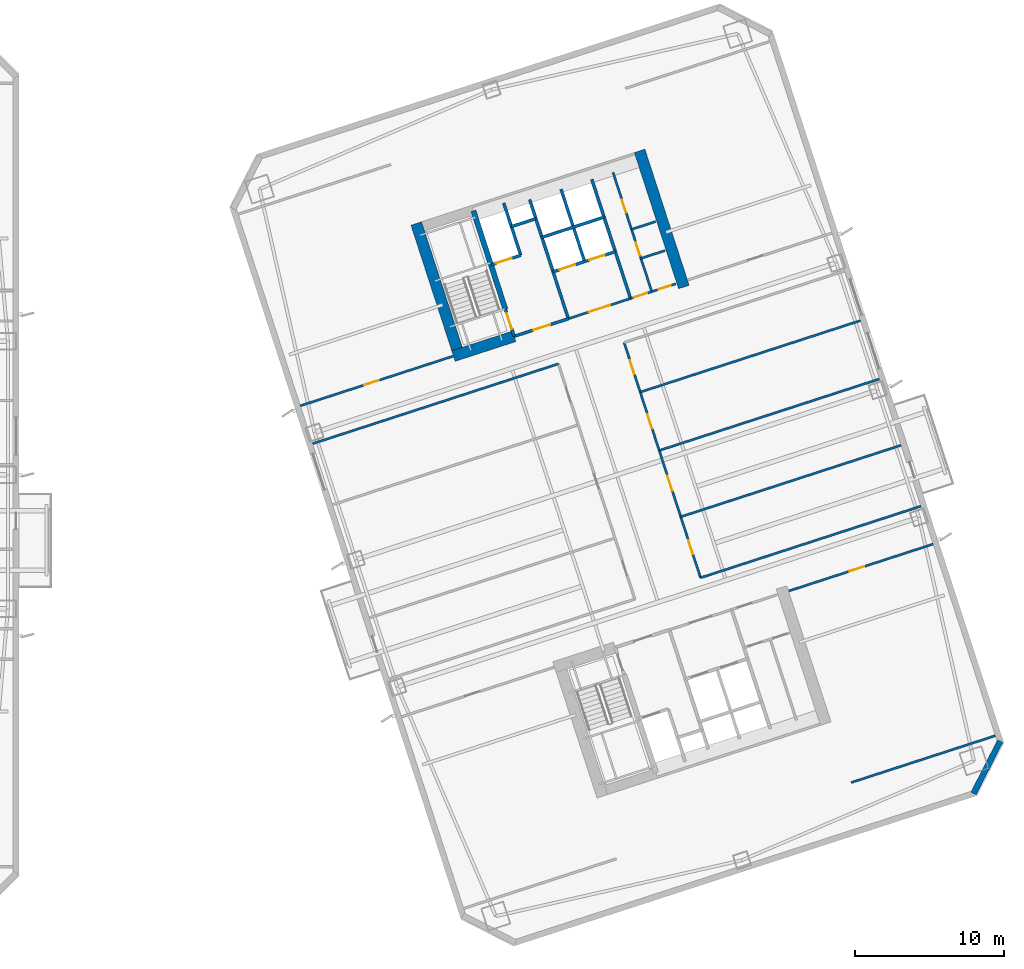
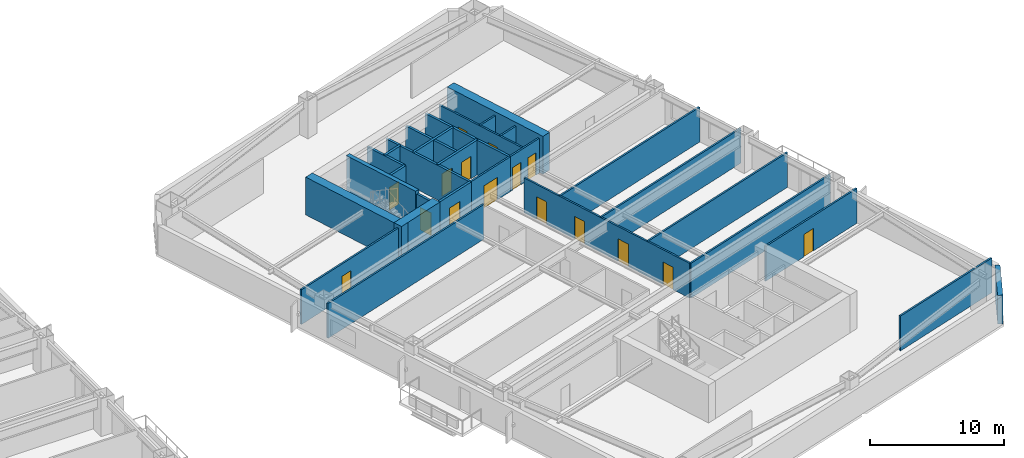
# One storey, part 8 of 18: 29 walls, 16 doors, 16 openings.
"""IFC4 building model written with IfcOpenShell, lengths in metres."""

from ifc_helpers import new_model, si_unit, direction, frame, frame_2d, origin, place, context, subcontext, project, spatial, rectangle, extrude, material, layer, layer_set, type_object, element, fill, save


model = new_model("IFC4")

# Units and contexts
model_context = context("Model", 3, precision=1e-05, world=origin(), true_north=direction((0.0, 1.0)))
body_context = subcontext(model_context, "Body", "Model", "MODEL_VIEW")
ifc_project = project(units=[si_unit("LENGTHUNIT", "METRE"), si_unit("AREAUNIT", "SQUARE_METRE"), si_unit("VOLUMEUNIT", "CUBIC_METRE"), si_unit("PLANEANGLEUNIT", "RADIAN"), si_unit("MASSUNIT", "GRAM", prefix="KILO")], contexts=[model_context])

# Site, building, storey
site_placement = place(None, origin())
site = spatial("IfcSite", under=ifc_project, at=site_placement, CompositionType="ELEMENT")
building_placement = place(site_placement, origin())
building = spatial("IfcBuilding", under=site, at=building_placement, Name="Qiaolan Cultural Towers", CompositionType="ELEMENT")
storey_placement = place(building_placement, frame((0.0, 0.0, 67.85009765625)))
storey = spatial("IfcBuildingStorey", under=building, at=storey_placement, Name="L16", CompositionType="ELEMENT", Elevation=67.85009765625)

# Walls
ifc_material_1 = material(Name="Concrete C50", Category="concrete")
ifc_layer_1 = layer(ifc_material_1, 0.35009765625)
ifc_layer_set_1 = layer_set([ifc_layer_1], Name="Concrete C50")
wall_type_1 = type_object("IfcWallType", Name="WL-CORE-350", PredefinedType="SHEAR", material=ifc_layer_set_1)
wall_1_placement = place(storey_placement, frame((82.513671875, 45.13134765625, 0.0), z_axis=(0.0, 0.0, 1.0), x_axis=(-0.308988790936, 0.951065679686, 0.0)))
element("IfcWall", 1, at=wall_1_placement, inside=storey, type_object=wall_type_1, Name="L16 T2-CN Stair Core Dividing Web", PredefinedType="SHEAR", context=body_context, shape_type="SweptSolid", body=[
    extrude(rectangle(XDim=6.97998046875, YDim=0.35009765625, at=frame_2d((3.489990234375, 0.0))), origin(), (0.0, 0.0, 1.0), 3.449951171875),
])
ifc_material_2 = material(Name="Concrete C60", Category="concrete")
ifc_layer_2 = layer(ifc_material_2, 0.75)
ifc_layer_set_2 = layer_set([ifc_layer_2], Name="Concrete C60")
wall_type_2 = type_object("IfcWallType", Name="WL-CORE-750", PredefinedType="SHEAR", material=ifc_layer_set_2)
for number, where, z_axis, x_axis, name in (
    (2, (79.48876953125, 41.75634765625, 0.0), (0.0, 0.0, 1.0), (-0.309016134813, 0.951056795583, 0.0), "L16 T2-CN West Core Shear Wall"),
    (3, (94.515380859375, 46.638916015625, 0.0), (0.0, 0.0, 1.0), (-0.309016134813, 0.951056795583, 0.0), "L16 T2-CN East Core Shear Wall"),
):
    element("IfcWall", number, at=place(storey_placement, frame(where, z_axis=z_axis, x_axis=x_axis)), inside=storey, type_object=wall_type_2, Name=name, PredefinedType="SHEAR", context=body_context, shape_type="SweptSolid", body=[
        extrude(rectangle(XDim=9.630126953125, YDim=0.75, at=frame_2d((4.81494140625, 0.0))), origin(), (0.0, 0.0, 1.0), 3.449951171875),
    ])
wall_2_placement = place(storey_placement, frame((79.01611328125, 41.997314453125, 0.0), z_axis=(0.0, 0.0, 1.0), x_axis=(0.95106038264, 0.309005094736, 0.0)))
element("IfcWall", 4, at=wall_2_placement, inside=storey, type_object=wall_type_2, Name="L16 T2-CN Stair Front Shear Wall", PredefinedType="SHEAR", context=body_context, shape_type="SweptSolid", body=[
    extrude(rectangle(XDim=4.294921875, YDim=0.75, at=frame_2d((2.1474609375, 0.0))), origin(), (0.0, 0.0, 1.0), 3.449951171875),
])
ifc_material_3 = material(Name="Precast Concrete C50 Honed Stone Pier", Category="masonry")
ifc_layer_3 = layer(ifc_material_3, 0.39990234375)
ifc_layer_set_3 = layer_set([ifc_layer_3], Name="Precast Concrete C50 Honed Stone Pier")
wall_type_3 = type_object("IfcWallType", Name="WL-EXT-PIER-400", PredefinedType="SOLIDWALL", material=ifc_layer_set_3)
wall_3_placement = place(storey_placement, frame((115.79541015625, 16.094970703125, 0.0), z_axis=(0.0, 0.0, 1.0), x_axis=(-0.453958106755, -0.891023028497, 0.0)))
element("IfcWall", 5, at=wall_3_placement, inside=storey, type_object=wall_type_3, Name="L16 East Tower Precast Pier Facade Wall F6", PredefinedType="SOLIDWALL", context=body_context, shape_type="SweptSolid", body=[
    extrude(rectangle(XDim=3.9599609375, YDim=0.39990234375, at=frame_2d((1.97998046875, 0.0))), origin(), (0.0, 0.0, 1.0), 2.60986328125),
])

# Wall, opening, door
ifc_material_4 = material(Name="Concrete C35 Fire Wall", Category="concrete")
ifc_layer_4 = layer(ifc_material_4, 0.199951171875)
ifc_layer_set_4 = layer_set([ifc_layer_4], Name="Concrete C35 Fire Wall")
wall_type_4 = type_object("IfcWallType", Name="WL-FIRE-200", PredefinedType="PARTITIONING", material=ifc_layer_set_4)
wall_4_placement = place(storey_placement, frame((83.100830078125, 43.324462890625, 0.0), z_axis=(0.0, 0.0, 1.0), x_axis=(-0.309048298632, 0.951046344356, 0.0)))
wall_4 = element("IfcWall", 6, at=wall_4_placement, inside=storey, type_object=wall_type_4, Name="L16 T2-CN Smokeproof Stair Entry Wall", PredefinedType="PARTITIONING", context=body_context, shape_type="SweptSolid", body=[
    extrude(rectangle(XDim=1.89990234375, YDim=0.199951171875, at=frame_2d((0.949951171875, 0.0))), origin(), (0.0, 0.0, 1.0), 3.1748046875),
])
opening_1_placement = place(wall_4_placement, frame((0.52001953125, 0.0, 0.0)))
opening_1 = element("IfcOpeningElement", 7, at=opening_1_placement, cuts=wall_4, Name="Opening FD-04", PredefinedType="OPENING", context=body_context, shape_type="SweptSolid", body=[
    extrude(rectangle(XDim=1.10009765625, YDim=2.050048828125, at=frame_2d((0.550048828125, 1.02490234375))), frame((0.0, 0.10986328125, 0.0), z_axis=(0.0, -1.0, 0.0), x_axis=(1.0, 0.0, 0.0)), (0.0, 0.0, 1.0), 0.219970703125),
])
ifc_material_5 = material(Name="Galvanized Steel Command Fire Door", Category="steel")
door_type_1 = type_object("IfcDoorType", Name="DR-FD90-1100", OperationType="NOTDEFINED", PredefinedType="DOOR", material=ifc_material_5)
door_1_placement = place(opening_1_placement, origin())
door_1 = element("IfcDoor", 8, at=door_1_placement, inside=storey, type_object=door_type_1, Name="L16 ST-E2 Smokeproof Stair Fire Door", OperationType="SINGLE_SWING_LEFT", OverallHeight=2.050048828125, OverallWidth=1.10009765625, PredefinedType="DOOR", context=body_context, shape_type="SweptSolid", body=[
    extrude(rectangle(XDim=1.10009765625, YDim=2.050048828125, at=frame_2d((0.550048828125, 1.02490234375))), frame((0.0, 0.02490234375, 0.0), z_axis=(0.0, -1.0, 0.0), x_axis=(1.0, 0.0, 0.0)), (0.0, 0.0, 1.0), 0.050048828125),
])
fill(opening_1, door_1)

# Wall
wall_5_placement = place(storey_placement, frame((86.743408203125, 44.508056640625, 0.0), z_axis=(0.0, 0.0, 1.0), x_axis=(-0.309016001439, 0.951056838919, 0.0)))
element("IfcWall", 9, at=wall_5_placement, inside=storey, type_object=wall_type_4, Name="L16 T2-CN Firefighting Zone Wall", PredefinedType="PARTITIONING", context=body_context, shape_type="SweptSolid", body=[
    extrude(rectangle(XDim=8.429931640625, YDim=0.199951171875, at=frame_2d((4.21484375, 0.0))), origin(), (0.0, 0.0, 1.0), 3.1748046875),
])

# Wall, opening, door
wall_6_placement = place(storey_placement, frame((83.100830078125, 43.324462890625, 0.0), z_axis=(0.0, 0.0, 1.0), x_axis=(0.951052804469, 0.309028417967, 0.0)))
wall_6 = element("IfcWall", 10, at=wall_6_placement, inside=storey, type_object=wall_type_4, Name="L16 T2-CN Firefighting Lobby Front Wall", PredefinedType="PARTITIONING", context=body_context, shape_type="SweptSolid", body=[
    extrude(rectangle(XDim=3.830078125, YDim=0.199951171875, at=frame_2d((1.9150390625, 0.0))), origin(), (0.0, 0.0, 1.0), 3.1748046875),
])
opening_2_placement = place(wall_6_placement, frame((1.35009765625, 0.0, 0.0)))
opening_2 = element("IfcOpeningElement", 11, at=opening_2_placement, cuts=wall_6, Name="Opening FD-03", PredefinedType="OPENING", context=body_context, shape_type="SweptSolid", body=[
    extrude(rectangle(XDim=1.199951171875, YDim=2.050048828125, at=frame_2d((0.60009765625, 1.02490234375))), frame((0.0, 0.10986328125, 0.0), z_axis=(0.0, -1.0, 0.0), x_axis=(1.0, 0.0, 0.0)), (0.0, 0.0, 1.0), 0.219970703125),
])
ifc_material_6 = material(Name="Galvanized Steel Smokeproof Lobby Fire Door", Category="steel")
door_type_2 = type_object("IfcDoorType", Name="DR-FD90-1200", OperationType="NOTDEFINED", PredefinedType="DOOR", material=ifc_material_6)
door_2_placement = place(opening_2_placement, origin())
door_2 = element("IfcDoor", 12, at=door_2_placement, inside=storey, type_object=door_type_2, Name="L16 FFL-E2 Firefighting Lobby Fire Door", OperationType="SINGLE_SWING_LEFT", OverallHeight=2.050048828125, OverallWidth=1.199951171875, PredefinedType="DOOR", context=body_context, shape_type="SweptSolid", body=[
    extrude(rectangle(XDim=1.199951171875, YDim=2.050048828125, at=frame_2d((0.60009765625, 1.02490234375))), frame((0.0, 0.02490234375, 0.0), z_axis=(0.0, -1.0, 0.0), x_axis=(1.0, 0.0, 0.0)), (0.0, 0.0, 1.0), 0.050048828125),
])
fill(opening_2, door_2)

wall_7_placement = place(storey_placement, frame((81.540283203125, 48.127197265625, 0.0), z_axis=(0.0, 0.0, 1.0), x_axis=(0.951062257173, 0.308999325213, 0.0)))
wall_7 = element("IfcWall", 13, at=wall_7_placement, inside=storey, type_object=wall_type_4, Name="L16 T2-CN Firefighting Shaft Front Wall", PredefinedType="PARTITIONING", context=body_context, shape_type="SweptSolid", body=[
    extrude(rectangle(XDim=2.10009765625, YDim=0.199951171875, at=frame_2d((1.050048828125, 0.0))), origin(), (0.0, 0.0, 1.0), 3.1748046875),
])
opening_3_placement = place(wall_7_placement, frame((0.35009765625, 0.0, 0.0)))
opening_3 = element("IfcOpeningElement", 14, at=opening_3_placement, cuts=wall_7, Name="Opening LD-01", PredefinedType="OPENING", context=body_context, shape_type="SweptSolid", body=[
    extrude(rectangle(XDim=1.10009765625, YDim=2.050048828125, at=frame_2d((0.550048828125, 1.02490234375))), frame((0.0, 0.10986328125, 0.0), z_axis=(0.0, -1.0, 0.0), x_axis=(1.0, 0.0, 0.0)), (0.0, 0.0, 1.0), 0.219970703125),
])
ifc_material_7 = material(Name="Brushed Stainless Steel S30408 Centre-Parting Lift Landing Door", Category="steel")
door_type_3 = type_object("IfcDoorType", Name="DR-LIFT-1100", OperationType="NOTDEFINED", PredefinedType="DOOR", material=ifc_material_7)
door_3_placement = place(opening_3_placement, origin())
door_3 = element("IfcDoor", 15, at=door_3_placement, inside=storey, type_object=door_type_3, Name="L16 FFL-E2 Firefighting Lift Landing Door", OperationType="DOUBLE_DOOR_SLIDING", OverallHeight=2.050048828125, OverallWidth=1.10009765625, PredefinedType="DOOR", context=body_context, shape_type="SweptSolid", body=[
    extrude(rectangle(XDim=1.10009765625, YDim=2.050048828125, at=frame_2d((0.550048828125, 1.02490234375))), frame((0.0, 0.02490234375, 0.0), z_axis=(0.0, -1.0, 0.0), x_axis=(1.0, 0.0, 0.0)), (0.0, 0.0, 1.0), 0.050048828125),
])
fill(opening_3, door_3)

# Walls
wall_8_placement = place(storey_placement, frame((83.53759765625, 48.776123046875, 0.0), z_axis=(0.0, 0.0, 1.0), x_axis=(-0.3089935693, 0.951064127245, 0.0)))
element("IfcWall", 16, at=wall_8_placement, inside=storey, type_object=wall_type_4, Name="L16 T2-CN Firefighting Hoistway East Wall", PredefinedType="PARTITIONING", context=body_context, shape_type="SweptSolid", body=[
    extrude(rectangle(XDim=3.7001953125, YDim=0.199951171875, at=frame_2d((1.85009765625, 0.0))), origin(), (0.0, 0.0, 1.0), 3.1748046875),
])
wall_9_placement = place(storey_placement, frame((82.910400390625, 50.706787109375, 0.0), z_axis=(0.0, 0.0, 1.0), x_axis=(0.951041328149, 0.309063734775, 0.0)))
element("IfcWall", 17, at=wall_9_placement, inside=storey, type_object=wall_type_4, Name="L16 T2-CN Pressurization Shaft Front Wall", PredefinedType="PARTITIONING", context=body_context, shape_type="SweptSolid", body=[
    extrude(rectangle(XDim=1.72998046875, YDim=0.199951171875, at=frame_2d((0.864990234375, 0.0))), origin(), (0.0, 0.0, 1.0), 3.1748046875),
])
wall_10_placement = place(storey_placement, frame((90.92822265625, 45.86767578125, 0.0), z_axis=(0.0, 0.0, 1.0), x_axis=(-0.309042196757, 0.951048327176, 0.0)))
element("IfcWall", 18, at=wall_10_placement, inside=storey, type_object=wall_type_4, Name="L16 T2-CN Lift Core East Wall", PredefinedType="PARTITIONING", context=body_context, shape_type="SweptSolid", body=[
    extrude(rectangle(XDim=8.429931640625, YDim=0.199951171875, at=frame_2d((4.21484375, 0.0))), origin(), (0.0, 0.0, 1.0), 3.1748046875),
])

# Wall, openings, doors
wall_11_placement = place(storey_placement, frame((85.717529296875, 47.66552734375, 0.0), z_axis=(0.0, 0.0, 1.0), x_axis=(0.951058531764, 0.30901079133, 0.0)))
wall_11 = element("IfcWall", 19, at=wall_11_placement, inside=storey, type_object=wall_type_4, Name="L16 T2-CN Passenger Lift Shaft Front Wall", PredefinedType="PARTITIONING", context=body_context, shape_type="SweptSolid", body=[
    extrude(rectangle(XDim=4.39990234375, YDim=0.199951171875, at=frame_2d((2.199951171875, 0.0))), origin(), (0.0, 0.0, 1.0), 3.1748046875),
])
opening_4_placement = place(wall_11_placement, frame((0.449951171875, 0.0, 0.0)))
opening_4 = element("IfcOpeningElement", 20, at=opening_4_placement, cuts=wall_11, Name="Opening LD-01", PredefinedType="OPENING", context=body_context, shape_type="SweptSolid", body=[
    extrude(rectangle(XDim=1.10009765625, YDim=2.050048828125, at=frame_2d((0.550048828125, 1.02490234375))), frame((0.0, 0.10986328125, 0.0), z_axis=(0.0, -1.0, 0.0), x_axis=(1.0, 0.0, 0.0)), (0.0, 0.0, 1.0), 0.219970703125),
])
opening_5_placement = place(wall_11_placement, frame((2.550048828125, 0.0, 0.0)))
opening_5 = element("IfcOpeningElement", 21, at=opening_5_placement, cuts=wall_11, Name="Opening LD-01", PredefinedType="OPENING", context=body_context, shape_type="SweptSolid", body=[
    extrude(rectangle(XDim=1.10009765625, YDim=2.050048828125, at=frame_2d((0.550048828125, 1.02490234375))), frame((0.0, 0.10986328125, 0.0), z_axis=(0.0, -1.0, 0.0), x_axis=(1.0, 0.0, 0.0)), (0.0, 0.0, 1.0), 0.219970703125),
])
door_4_placement = place(opening_4_placement, origin())
door_4 = element("IfcDoor", 22, at=door_4_placement, inside=storey, type_object=door_type_3, Name="L16 Passenger Lift 1 Landing Door", OperationType="DOUBLE_DOOR_SLIDING", OverallHeight=2.050048828125, OverallWidth=1.10009765625, PredefinedType="DOOR", context=body_context, shape_type="SweptSolid", body=[
    extrude(rectangle(XDim=1.10009765625, YDim=2.050048828125, at=frame_2d((0.550048828125, 1.02490234375))), frame((0.0, 0.02490234375, 0.0), z_axis=(0.0, -1.0, 0.0), x_axis=(1.0, 0.0, 0.0)), (0.0, 0.0, 1.0), 0.050048828125),
])
fill(opening_4, door_4)
door_5_placement = place(opening_5_placement, origin())
door_5 = element("IfcDoor", 23, at=door_5_placement, inside=storey, type_object=door_type_3, Name="L16 Passenger Lift 2 Landing Door", OperationType="DOUBLE_DOOR_SLIDING", OverallHeight=2.050048828125, OverallWidth=1.10009765625, PredefinedType="DOOR", context=body_context, shape_type="SweptSolid", body=[
    extrude(rectangle(XDim=1.10009765625, YDim=2.050048828125, at=frame_2d((0.550048828125, 1.02490234375))), frame((0.0, 0.02490234375, 0.0), z_axis=(0.0, -1.0, 0.0), x_axis=(1.0, 0.0, 0.0)), (0.0, 0.0, 1.0), 0.050048828125),
])
fill(opening_5, door_5)

# Walls
wall_12_placement = place(storey_placement, frame((87.83837890625, 48.3544921875, 0.0), z_axis=(0.0, 0.0, 1.0), x_axis=(-0.3090093719, 0.951058992953, 0.0)))
element("IfcWall", 24, at=wall_12_placement, inside=storey, type_object=wall_type_4, Name="L16 T2-CN Lift Shaft Divider Wall", PredefinedType="PARTITIONING", context=body_context, shape_type="SweptSolid", body=[
    extrude(rectangle(XDim=5.110107421875, YDim=0.199951171875, at=frame_2d((2.55517578125, 0.0))), origin(), (0.0, 0.0, 1.0), 3.1748046875),
])
wall_13_placement = place(storey_placement, frame((84.966552734375, 49.9765625, 0.0), z_axis=(0.0, 0.0, 1.0), x_axis=(0.951063829732, 0.308994485023, 0.0)))
element("IfcWall", 25, at=wall_13_placement, inside=storey, type_object=wall_type_4, Name="L16 T2-CN Passenger Lift Shaft Back Wall", PredefinedType="PARTITIONING", context=body_context, shape_type="SweptSolid", body=[
    extrude(rectangle(XDim=4.400146484375, YDim=0.199951171875, at=frame_2d((2.2001953125, 0.0))), origin(), (0.0, 0.0, 1.0), 3.1748046875),
])

# Wall, opening, door
ifc_material_8 = material(Name="Autoclaved Aerated Concrete Block B06", Category="concrete")
ifc_layer_5 = layer(ifc_material_8, 0.14990234375)
ifc_layer_set_5 = layer_set([ifc_layer_5], Name="Autoclaved Aerated Concrete Block B06")
wall_type_5 = type_object("IfcWallType", Name="WL-PART-150", PredefinedType="PARTITIONING", material=ifc_layer_set_5)
wall_14_placement = place(storey_placement, frame((86.743408203125, 44.508056640625, 0.0), z_axis=(0.0, 0.0, 1.0), x_axis=(0.951063829732, 0.308994485023, 0.0)))
wall_14 = element("IfcWall", 26, at=wall_14_placement, inside=storey, type_object=wall_type_5, Name="L16 T2-CN Passenger Lift Lobby Front Wall", PredefinedType="PARTITIONING", context=body_context, shape_type="SweptSolid", body=[
    extrude(rectangle(XDim=4.400146484375, YDim=0.14990234375, at=frame_2d((2.2001953125, 0.0))), origin(), (0.0, 0.0, 1.0), 3.1748046875),
])
opening_6_placement = place(wall_14_placement, frame((1.449951171875, 0.0, 0.0)))
opening_6 = element("IfcOpeningElement", 27, at=opening_6_placement, cuts=wall_14, Name="Opening FD-05", PredefinedType="OPENING", context=body_context, shape_type="SweptSolid", body=[
    extrude(rectangle(XDim=1.5, YDim=2.050048828125, at=frame_2d((0.75, 1.02490234375))), frame((0.0, 0.0849609375, 0.0), z_axis=(0.0, -1.0, 0.0), x_axis=(1.0, 0.0, 0.0)), (0.0, 0.0, 1.0), 0.169921875),
])
ifc_material_9 = material(Name="Painted Steel Lift Lobby Fire Door", Category="steel")
door_type_4 = type_object("IfcDoorType", Name="DR-FD60-1500", OperationType="NOTDEFINED", PredefinedType="DOOR", material=ifc_material_9)
door_6_placement = place(opening_6_placement, origin())
door_6 = element("IfcDoor", 28, at=door_6_placement, inside=storey, type_object=door_type_4, Name="L16 Passenger Lift Lobby Entrance", OperationType="SINGLE_SWING_LEFT", OverallHeight=2.050048828125, OverallWidth=1.5, PredefinedType="DOOR", context=body_context, shape_type="SweptSolid", body=[
    extrude(rectangle(XDim=1.5, YDim=2.050048828125, at=frame_2d((0.75, 1.02490234375))), frame((0.0, 0.02490234375, 0.0), z_axis=(0.0, -1.0, 0.0), x_axis=(1.0, 0.0, 0.0)), (0.0, 0.0, 1.0), 0.050048828125),
])
fill(opening_6, door_6)

# Wall, openings, doors
wall_15_placement = place(storey_placement, frame((90.92822265625, 45.86767578125, 0.0), z_axis=(0.0, 0.0, 1.0), x_axis=(0.951059297078, 0.309008435874, 0.0)))
wall_15 = element("IfcWall", 29, at=wall_15_placement, inside=storey, type_object=wall_type_5, Name="L16 T2-CN Sanitary Core Front Wall", PredefinedType="PARTITIONING", context=body_context, shape_type="SweptSolid", body=[
    extrude(rectangle(XDim=3.19970703125, YDim=0.14990234375, at=frame_2d((1.599853515625, 0.0))), origin(), (0.0, 0.0, 1.0), 3.1748046875),
])
opening_7_placement = place(wall_15_placement, frame((0.219970703125, 0.0, 0.0)))
opening_7 = element("IfcOpeningElement", 30, at=opening_7_placement, cuts=wall_15, Name="Opening ID-05", PredefinedType="OPENING", context=body_context, shape_type="SweptSolid", body=[
    extrude(rectangle(XDim=0.949951171875, YDim=2.050048828125, at=frame_2d((0.47509765625, 1.02490234375))), frame((0.0, 0.0849609375, 0.0), z_axis=(0.0, -1.0, 0.0), x_axis=(1.0, 0.0, 0.0)), (0.0, 0.0, 1.0), 0.169921875),
])
opening_8_placement = place(wall_15_placement, frame((1.949951171875, 0.0, 0.0)))
opening_8 = element("IfcOpeningElement", 31, at=opening_8_placement, cuts=wall_15, Name="Opening ID-06", PredefinedType="OPENING", context=body_context, shape_type="SweptSolid", body=[
    extrude(rectangle(XDim=0.89990234375, YDim=2.050048828125, at=frame_2d((0.449951171875, 1.02490234375))), frame((0.0, 0.0849609375, 0.0), z_axis=(0.0, -1.0, 0.0), x_axis=(1.0, 0.0, 0.0)), (0.0, 0.0, 1.0), 0.169921875),
])
ifc_material_10 = material(Name="Fire-Rated Laminate Core Service Door", Category="timber")
door_type_5 = type_object("IfcDoorType", Name="DR-INT-900", OperationType="NOTDEFINED", PredefinedType="DOOR", material=ifc_material_10)
door_7_placement = place(opening_8_placement, origin())
door_7 = element("IfcDoor", 32, at=door_7_placement, inside=storey, type_object=door_type_5, Name="L16 Core Tea Pantry Door", OperationType="SINGLE_SWING_RIGHT", OverallHeight=2.050048828125, OverallWidth=0.89990234375, PredefinedType="DOOR", context=body_context, shape_type="SweptSolid", body=[
    extrude(rectangle(XDim=0.89990234375, YDim=2.050048828125, at=frame_2d((0.449951171875, 1.02490234375))), frame((0.0, 0.02490234375, 0.0), z_axis=(0.0, -1.0, 0.0), x_axis=(1.0, 0.0, 0.0)), (0.0, 0.0, 1.0), 0.050048828125),
])
fill(opening_8, door_7)
ifc_material_11 = material(Name="Fire-Rated Laminate Accessible Core Door", Category="timber")
door_type_6 = type_object("IfcDoorType", Name="DR-INT-950", OperationType="NOTDEFINED", PredefinedType="DOOR", material=ifc_material_11)
door_8_placement = place(opening_7_placement, origin())
door_8 = element("IfcDoor", 33, at=door_8_placement, inside=storey, type_object=door_type_6, Name="L16 Sanitary Passage Door", OperationType="SINGLE_SWING_LEFT", OverallHeight=2.050048828125, OverallWidth=0.949951171875, PredefinedType="DOOR", context=body_context, shape_type="SweptSolid", body=[
    extrude(rectangle(XDim=0.949951171875, YDim=2.050048828125, at=frame_2d((0.47509765625, 1.02490234375))), frame((0.0, 0.02490234375, 0.0), z_axis=(0.0, -1.0, 0.0), x_axis=(1.0, 0.0, 0.0)), (0.0, 0.0, 1.0), 0.050048828125),
])
fill(opening_7, door_8)

wall_16_placement = place(storey_placement, frame((92.354736328125, 46.3310546875, 0.0), z_axis=(0.0, 0.0, 1.0), x_axis=(-0.309007490203, 0.951059604335, 0.0)))
wall_16 = element("IfcWall", 34, at=wall_16_placement, inside=storey, type_object=wall_type_5, Name="L16 T2-CN Sanitary Corridor Wall", PredefinedType="PARTITIONING", context=body_context, shape_type="SweptSolid", body=[
    extrude(rectangle(XDim=8.43017578125, YDim=0.14990234375, at=frame_2d((4.215087890625, 0.0))), origin(), (0.0, 0.0, 1.0), 3.1748046875),
])
opening_9_placement = place(wall_16_placement, frame((2.550048828125, 0.0, 0.0)))
opening_9 = element("IfcOpeningElement", 35, at=opening_9_placement, cuts=wall_16, Name="Opening ID-05", PredefinedType="OPENING", context=body_context, shape_type="SweptSolid", body=[
    extrude(rectangle(XDim=0.949951171875, YDim=2.050048828125, at=frame_2d((0.47509765625, 1.02490234375))), frame((0.0, 0.0849609375, 0.0), z_axis=(0.0, -1.0, 0.0), x_axis=(1.0, 0.0, 0.0)), (0.0, 0.0, 1.0), 0.169921875),
])
opening_10_placement = place(wall_16_placement, frame((5.60009765625, 0.0, 0.0)))
opening_10 = element("IfcOpeningElement", 36, at=opening_10_placement, cuts=wall_16, Name="Opening ID-06", PredefinedType="OPENING", context=body_context, shape_type="SweptSolid", body=[
    extrude(rectangle(XDim=0.89990234375, YDim=2.050048828125, at=frame_2d((0.449951171875, 1.02490234375))), frame((0.0, 0.0849609375, 0.0), z_axis=(0.0, -1.0, 0.0), x_axis=(1.0, 0.0, 0.0)), (0.0, 0.0, 1.0), 0.169921875),
])
door_9_placement = place(opening_10_placement, origin())
door_9 = element("IfcDoor", 37, at=door_9_placement, inside=storey, type_object=door_type_5, Name="L16 Staff Restroom Door", OperationType="SINGLE_SWING_RIGHT", OverallHeight=2.050048828125, OverallWidth=0.89990234375, PredefinedType="DOOR", context=body_context, shape_type="SweptSolid", body=[
    extrude(rectangle(XDim=0.89990234375, YDim=2.050048828125, at=frame_2d((0.449951171875, 1.02490234375))), frame((0.0, 0.02490234375, 0.0), z_axis=(0.0, -1.0, 0.0), x_axis=(1.0, 0.0, 0.0)), (0.0, 0.0, 1.0), 0.050048828125),
])
fill(opening_10, door_9)
door_10_placement = place(opening_9_placement, origin())
door_10 = element("IfcDoor", 38, at=door_10_placement, inside=storey, type_object=door_type_6, Name="L16 Accessible Washroom Door", OperationType="SINGLE_SWING_LEFT", OverallHeight=2.050048828125, OverallWidth=0.949951171875, PredefinedType="DOOR", context=body_context, shape_type="SweptSolid", body=[
    extrude(rectangle(XDim=0.949951171875, YDim=2.050048828125, at=frame_2d((0.47509765625, 1.02490234375))), frame((0.0, 0.02490234375, 0.0), z_axis=(0.0, -1.0, 0.0), x_axis=(1.0, 0.0, 0.0)), (0.0, 0.0, 1.0), 0.050048828125),
])
fill(opening_9, door_10)

# Walls
wall_17_placement = place(storey_placement, frame((90.9951171875, 50.515869140625, 0.0), z_axis=(0.0, 0.0, 1.0), x_axis=(0.951040401051, 0.309066587596, 0.0)))
element("IfcWall", 39, at=wall_17_placement, inside=storey, type_object=wall_type_5, Name="L16 T2-CN Restroom Split Wall", PredefinedType="PARTITIONING", context=body_context, shape_type="SweptSolid", body=[
    extrude(rectangle(XDim=1.699951171875, YDim=0.14990234375, at=frame_2d((0.85009765625, 0.0))), origin(), (0.0, 0.0, 1.0), 3.1748046875),
])
wall_18_placement = place(storey_placement, frame((91.62841796875, 48.566162109375, 0.0), z_axis=(0.0, 0.0, 1.0), x_axis=(0.951054116971, 0.309024378638, 0.0)))
element("IfcWall", 40, at=wall_18_placement, inside=storey, type_object=wall_type_5, Name="L16 T2-CN Core Pantry Wall", PredefinedType="PARTITIONING", context=body_context, shape_type="SweptSolid", body=[
    extrude(rectangle(XDim=1.7001953125, YDim=0.14990234375, at=frame_2d((0.85009765625, 0.0))), origin(), (0.0, 0.0, 1.0), 3.1748046875),
])
wall_19_placement = place(storey_placement, frame((105.765380859375, 13.30908203125, 0.0), z_axis=(0.0, 0.0, 1.0), x_axis=(0.951054294345, 0.309023832749, 0.0)))
element("IfcWall", 41, at=wall_19_placement, inside=storey, type_object=wall_type_5, Name="L16 T2 Flank Wall FLK-SE", PredefinedType="PARTITIONING", context=body_context, shape_type="SweptSolid", body=[
    extrude(rectangle(XDim=10.2001953125, YDim=0.14990234375, at=frame_2d((5.10009765625, 0.0))), origin(), (0.0, 0.0, 1.0), 3.1748046875),
])

# Wall, opening, door
wall_20_placement = place(storey_placement, frame((101.578369140625, 26.196044921875, 0.0), z_axis=(0.0, 0.0, 1.0), x_axis=(0.951059043131, 0.309009217467, 0.0)))
wall_20 = element("IfcWall", 42, at=wall_20_placement, inside=storey, type_object=wall_type_5, Name="L16 T2 Flank Front FLK-SE", PredefinedType="PARTITIONING", context=body_context, shape_type="SweptSolid", body=[
    extrude(rectangle(XDim=10.199951171875, YDim=0.14990234375, at=frame_2d((5.10009765625, 0.0))), origin(), (0.0, 0.0, 1.0), 3.1748046875),
])
opening_11_placement = place(wall_20_placement, frame((4.283935546875, 0.0, 0.0)))
opening_11 = element("IfcOpeningElement", 43, at=opening_11_placement, cuts=wall_20, Name="Opening ID-07", PredefinedType="OPENING", context=body_context, shape_type="SweptSolid", body=[
    extrude(rectangle(XDim=1.050048828125, YDim=2.050048828125, at=frame_2d((0.52490234375, 1.02490234375))), frame((0.0, 0.0849609375, 0.0), z_axis=(0.0, -1.0, 0.0), x_axis=(1.0, 0.0, 0.0)), (0.0, 0.0, 1.0), 0.169921875),
])
ifc_material_12 = material(Name="Oak Veneer Consultation Door", Category="timber")
door_type_7 = type_object("IfcDoorType", Name="DR-INT-1050", OperationType="NOTDEFINED", PredefinedType="DOOR", material=ifc_material_12)
door_11_placement = place(opening_11_placement, origin())
door_11 = element("IfcDoor", 44, at=door_11_placement, inside=storey, type_object=door_type_7, Name="L16 T2 Corner Studio Door", OperationType="SINGLE_SWING_LEFT", OverallHeight=2.050048828125, OverallWidth=1.050048828125, PredefinedType="DOOR", context=body_context, shape_type="SweptSolid", body=[
    extrude(rectangle(XDim=1.050048828125, YDim=2.050048828125, at=frame_2d((0.52490234375, 1.02490234375))), frame((0.0, 0.02490234375, 0.0), z_axis=(0.0, -1.0, 0.0), x_axis=(1.0, 0.0, 0.0)), (0.0, 0.0, 1.0), 0.050048828125),
])
fill(opening_11, door_11)

wall_21_placement = place(storey_placement, frame((68.720947265625, 38.652099609375, 0.0), z_axis=(0.0, 0.0, 1.0), x_axis=(0.951056658866, 0.309016555588, 0.0)))
wall_21 = element("IfcWall", 45, at=wall_21_placement, inside=storey, type_object=wall_type_5, Name="L16 T2 Flank Front FLK-NW", PredefinedType="PARTITIONING", context=body_context, shape_type="SweptSolid", body=[
    extrude(rectangle(XDim=10.800048828125, YDim=0.14990234375, at=frame_2d((5.39990234375, 0.0))), origin(), (0.0, 0.0, 1.0), 3.1748046875),
])
opening_12_placement = place(wall_21_placement, frame((4.535888671875, 0.0, 0.0)))
opening_12 = element("IfcOpeningElement", 46, at=opening_12_placement, cuts=wall_21, Name="Opening ID-04", PredefinedType="OPENING", context=body_context, shape_type="SweptSolid", body=[
    extrude(rectangle(XDim=1.0, YDim=2.050048828125, at=frame_2d((0.5, 1.02490234375))), frame((0.0, 0.0849609375, 0.0), z_axis=(0.0, -1.0, 0.0), x_axis=(1.0, 0.0, 0.0)), (0.0, 0.0, 1.0), 0.169921875),
])
ifc_material_13 = material(Name="Oak Veneer Acoustic Office Door", Category="timber")
door_type_8 = type_object("IfcDoorType", Name="DR-INT-1000", OperationType="NOTDEFINED", PredefinedType="DOOR", material=ifc_material_13)
door_12_placement = place(opening_12_placement, origin())
door_12 = element("IfcDoor", 47, at=door_12_placement, inside=storey, type_object=door_type_8, Name="L16 T2 Corner Studio Door", OperationType="SINGLE_SWING_LEFT", OverallHeight=2.050048828125, OverallWidth=1.0, PredefinedType="DOOR", context=body_context, shape_type="SweptSolid", body=[
    extrude(rectangle(XDim=1.0, YDim=2.050048828125, at=frame_2d((0.5, 1.02490234375))), frame((0.0, 0.02490234375, 0.0), z_axis=(0.0, -1.0, 0.0), x_axis=(1.0, 0.0, 0.0)), (0.0, 0.0, 1.0), 0.050048828125),
])
fill(opening_12, door_12)

# Walls
wall_22_placement = place(storey_placement, frame((95.63818359375, 27.083740234375, 0.0), z_axis=(0.0, 0.0, 1.0), x_axis=(0.951055837847, 0.309019082414, 0.0)))
element("IfcWall", 48, at=wall_22_placement, inside=storey, type_object=wall_type_5, Name="L16 T2 South Corridor Right Wall", PredefinedType="PARTITIONING", context=body_context, shape_type="SweptSolid", body=[
    extrude(rectangle(XDim=15.574951171875, YDim=0.14990234375, at=frame_2d((7.78759765625, 0.0))), origin(), (0.0, 0.0, 1.0), 3.1748046875),
])
wall_23_placement = place(storey_placement, frame((69.549072265625, 36.103271484375, 0.0), z_axis=(0.0, 0.0, 1.0), x_axis=(0.951057299418, 0.309014584159, 0.0)))
element("IfcWall", 49, at=wall_23_placement, inside=storey, type_object=wall_type_5, Name="L16 T2 North Corridor Left Wall", PredefinedType="PARTITIONING", context=body_context, shape_type="SweptSolid", body=[
    extrude(rectangle(XDim=17.375, YDim=0.14990234375, at=frame_2d((8.6875, 0.0))), origin(), (0.0, 0.0, 1.0), 3.1748046875),
])

# Wall, openings, doors
wall_24_placement = place(storey_placement, frame((95.63818359375, 27.083740234375, 0.0), z_axis=(0.0, 0.0, 1.0), x_axis=(-0.30901773025, 0.951056277195, 0.0)))
wall_24 = element("IfcWall", 50, at=wall_24_placement, inside=storey, type_object=wall_type_5, Name="L16 T2 East Spine Wall", PredefinedType="PARTITIONING", context=body_context, shape_type="SweptSolid", body=[
    extrude(rectangle(XDim=16.64013671875, YDim=0.14990234375, at=frame_2d((8.320068359375, 0.0))), origin(), (0.0, 0.0, 1.0), 3.1748046875),
])
opening_13_placement = place(wall_24_placement, frame((1.655029296875, 0.0, 0.0)))
opening_13 = element("IfcOpeningElement", 51, at=opening_13_placement, cuts=wall_24, Name="Opening ID-04", PredefinedType="OPENING", context=body_context, shape_type="SweptSolid", body=[
    extrude(rectangle(XDim=1.0, YDim=2.050048828125, at=frame_2d((0.5, 1.02490234375))), frame((0.0, 0.0849609375, 0.0), z_axis=(0.0, -1.0, 0.0), x_axis=(1.0, 0.0, 0.0)), (0.0, 0.0, 1.0), 0.169921875),
])
opening_14_placement = place(wall_24_placement, frame((6.155029296875, 0.0, 0.0)))
opening_14 = element("IfcOpeningElement", 52, at=opening_14_placement, cuts=wall_24, Name="Opening ID-07", PredefinedType="OPENING", context=body_context, shape_type="SweptSolid", body=[
    extrude(rectangle(XDim=1.050048828125, YDim=2.050048828125, at=frame_2d((0.52490234375, 1.02490234375))), frame((0.0, 0.0849609375, 0.0), z_axis=(0.0, -1.0, 0.0), x_axis=(1.0, 0.0, 0.0)), (0.0, 0.0, 1.0), 0.169921875),
])
opening_15_placement = place(wall_24_placement, frame((10.564697265625, 0.0, 0.0)))
opening_15 = element("IfcOpeningElement", 53, at=opening_15_placement, cuts=wall_24, Name="Opening ID-04", PredefinedType="OPENING", context=body_context, shape_type="SweptSolid", body=[
    extrude(rectangle(XDim=1.0, YDim=2.050048828125, at=frame_2d((0.5, 1.02490234375))), frame((0.0, 0.0849609375, 0.0), z_axis=(0.0, -1.0, 0.0), x_axis=(1.0, 0.0, 0.0)), (0.0, 0.0, 1.0), 0.169921875),
])
opening_16_placement = place(wall_24_placement, frame((14.384521484375, 0.0, 0.0)))
opening_16 = element("IfcOpeningElement", 54, at=opening_16_placement, cuts=wall_24, Name="Opening ID-04", PredefinedType="OPENING", context=body_context, shape_type="SweptSolid", body=[
    extrude(rectangle(XDim=1.0, YDim=2.050048828125, at=frame_2d((0.5, 1.02490234375))), frame((0.0, 0.0849609375, 0.0), z_axis=(0.0, -1.0, 0.0), x_axis=(1.0, 0.0, 0.0)), (0.0, 0.0, 1.0), 0.169921875),
])
door_13_placement = place(opening_13_placement, origin())
door_13 = element("IfcDoor", 55, at=door_13_placement, inside=storey, type_object=door_type_8, Name="L16 T2 Seminar Room Door", OperationType="SINGLE_SWING_RIGHT", OverallHeight=2.050048828125, OverallWidth=1.0, PredefinedType="DOOR", context=body_context, shape_type="SweptSolid", body=[
    extrude(rectangle(XDim=1.0, YDim=2.050048828125, at=frame_2d((0.5, 1.02490234375))), frame((0.0, 0.02490234375, 0.0), z_axis=(0.0, -1.0, 0.0), x_axis=(1.0, 0.0, 0.0)), (0.0, 0.0, 1.0), 0.050048828125),
])
fill(opening_13, door_13)
door_14_placement = place(opening_15_placement, origin())
door_14 = element("IfcDoor", 56, at=door_14_placement, inside=storey, type_object=door_type_8, Name="L16 T2 First-Aid Wellness Room Door", OperationType="SINGLE_SWING_RIGHT", OverallHeight=2.050048828125, OverallWidth=1.0, PredefinedType="DOOR", context=body_context, shape_type="SweptSolid", body=[
    extrude(rectangle(XDim=1.0, YDim=2.050048828125, at=frame_2d((0.5, 1.02490234375))), frame((0.0, 0.02490234375, 0.0), z_axis=(0.0, -1.0, 0.0), x_axis=(1.0, 0.0, 0.0)), (0.0, 0.0, 1.0), 0.050048828125),
])
fill(opening_15, door_14)
door_15_placement = place(opening_16_placement, origin())
door_15 = element("IfcDoor", 57, at=door_15_placement, inside=storey, type_object=door_type_8, Name="L16 T2 Design Print Shop Door", OperationType="SINGLE_SWING_LEFT", OverallHeight=2.050048828125, OverallWidth=1.0, PredefinedType="DOOR", context=body_context, shape_type="SweptSolid", body=[
    extrude(rectangle(XDim=1.0, YDim=2.050048828125, at=frame_2d((0.5, 1.02490234375))), frame((0.0, 0.02490234375, 0.0), z_axis=(0.0, -1.0, 0.0), x_axis=(1.0, 0.0, 0.0)), (0.0, 0.0, 1.0), 0.050048828125),
])
fill(opening_16, door_15)
door_16_placement = place(opening_14_placement, origin())
door_16 = element("IfcDoor", 58, at=door_16_placement, inside=storey, type_object=door_type_7, Name="L16 T2 Seminar Room Door", OperationType="SINGLE_SWING_LEFT", OverallHeight=2.050048828125, OverallWidth=1.050048828125, PredefinedType="DOOR", context=body_context, shape_type="SweptSolid", body=[
    extrude(rectangle(XDim=1.050048828125, YDim=2.050048828125, at=frame_2d((0.52490234375, 1.02490234375))), frame((0.0, 0.02490234375, 0.0), z_axis=(0.0, -1.0, 0.0), x_axis=(1.0, 0.0, 0.0)), (0.0, 0.0, 1.0), 0.050048828125),
])
fill(opening_14, door_16)

# Walls
for number, where, z_axis, x_axis, name in (
    (59, (94.306396484375, 31.182861328125, 0.0), (0.0, 0.0, 1.0), (0.951055837847, 0.309019082414, 0.0), "L16 T2 East Partition 1"),
    (60, (92.85693359375, 35.643310546875, 0.0), (0.0, 0.0, 1.0), (0.951055837847, 0.309019082414, 0.0), "L16 T2 East Partition 2"),
    (61, (91.5810546875, 39.5703125, 0.0), (0.0, 0.0, 1.0), (0.951055837847, 0.309019082414, 0.0), "L16 T2 East Partition 3"),
):
    element("IfcWall", number, at=place(storey_placement, frame(where, z_axis=z_axis, x_axis=x_axis)), inside=storey, type_object=wall_type_5, Name=name, PredefinedType="PARTITIONING", context=body_context, shape_type="SweptSolid", body=[
        extrude(rectangle(XDim=15.574951171875, YDim=0.14990234375, at=frame_2d((7.78759765625, 0.0))), origin(), (0.0, 0.0, 1.0), 3.1748046875),
    ])

save(model, "model.ifc")
